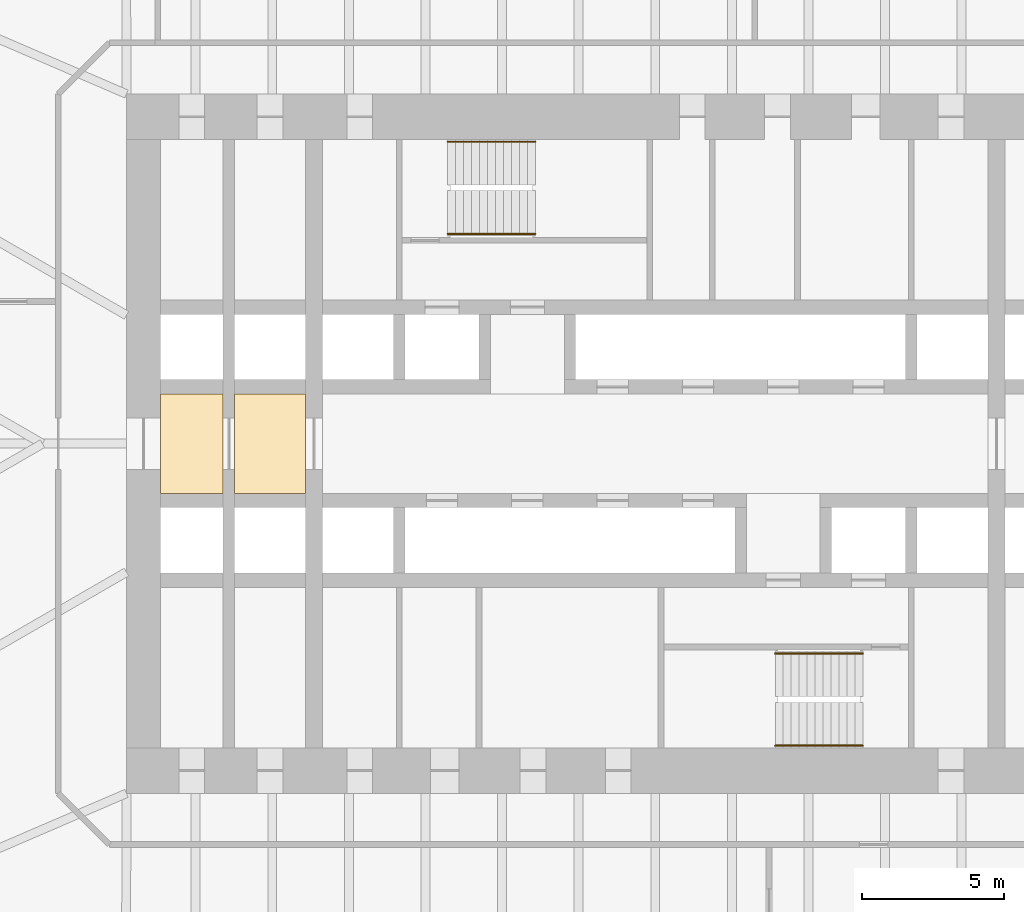
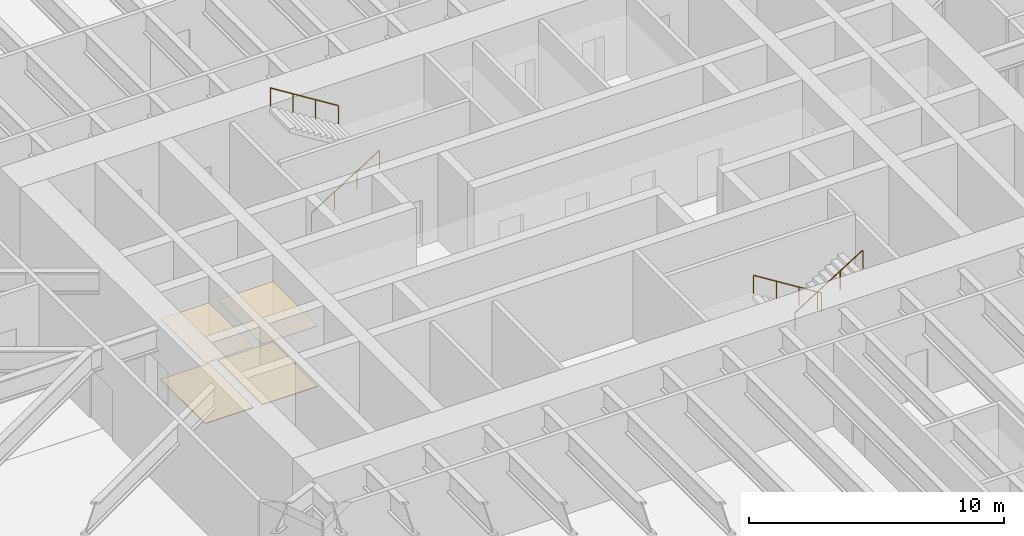
# One storey, part 21 of 23: 4 coverings, 4 railings.
"""IFC4 building model written with IfcOpenShell, lengths in metres."""

from ifc_helpers import new_model, si_unit, direction, frame, origin, origin_2d, place, context, subcontext, project, spatial, polyline, circle, outline, extrude, material, layer, layer_set, type_object, element, save


model = new_model("IFC4")

# Units and contexts
model_context = context("Model", 3, precision=1e-05, world=origin(), true_north=direction((0.0, 1.0)))
body_context = subcontext(model_context, "Body", "Model", "MODEL_VIEW")
ifc_project = project(units=[si_unit("LENGTHUNIT", "METRE"), si_unit("AREAUNIT", "SQUARE_METRE"), si_unit("VOLUMEUNIT", "CUBIC_METRE"), si_unit("PLANEANGLEUNIT", "RADIAN"), si_unit("MASSUNIT", "GRAM", prefix="KILO")], contexts=[model_context])

# Site, building, storey
site_placement = place(None, origin())
site = spatial("IfcSite", under=ifc_project, at=site_placement, CompositionType="ELEMENT")
building_placement = place(site_placement, origin())
building = spatial("IfcBuilding", under=site, at=building_placement, Name="Tarfa Lantern Tower", CompositionType="ELEMENT")
storey_placement = place(building_placement, frame((0.0, 0.0, 40.300048828125)))
storey = spatial("IfcBuildingStorey", under=building, at=storey_placement, Name="L08", CompositionType="ELEMENT", Elevation=40.300048828125)

# Coverings
ifc_material_1 = material(Name="Powder-coated aluminium panel", Category="aluminium")
ifc_layer_1 = layer(ifc_material_1, 0.030029296875)
ifc_layer_set_1 = layer_set([ifc_layer_1], Name="CL3 METAL PANEL CEILING 30")
covering_type_1 = type_object("IfcCoveringType", Name="CL3 METAL PANEL CEILING 30", PredefinedType="CEILING", material=ifc_layer_set_1)
covering_1_placement = place(storey_placement, frame((0.0, 0.0, 2.89990234375)))
element("IfcCovering", 1, at=covering_1_placement, inside=storey, type_object=covering_type_1, Name="Ceiling L08-01", PredefinedType="CEILING", context=body_context, shape_type="SweptSolid", body=[
    extrude(outline(polyline([(-17.39990234375, -1.75), (-15.199951171875, -1.75), (-15.199951171875, 1.75), (-17.39990234375, 1.75), (-17.39990234375, -1.75)])), origin(), (0.0, 0.0, 1.0), 0.030029296875),
])
covering_2_placement = place(storey_placement, frame((0.0, 0.0, 2.89990234375)))
element("IfcCovering", 2, at=covering_2_placement, inside=storey, type_object=covering_type_1, Name="Ceiling L08-02", PredefinedType="CEILING", context=body_context, shape_type="SweptSolid", body=[
    extrude(outline(polyline([(-14.800048828125, -1.75), (-12.300048828125, -1.75), (-12.300048828125, 1.75), (-14.800048828125, 1.75), (-14.800048828125, -1.75)])), origin(), (0.0, 0.0, 1.0), 0.030029296875),
])
ifc_material_2 = material(Name="Honed limestone flooring", Category="masonry")
ifc_layer_2 = layer(ifc_material_2, 0.030029296875)
ifc_layer_set_2 = layer_set([ifc_layer_2], Name="FL2 STONE FLOORING 30")
covering_type_2 = type_object("IfcCoveringType", Name="FL2 STONE FLOORING 30", PredefinedType="FLOORING", material=ifc_layer_set_2)
covering_3_placement = place(storey_placement, origin())
element("IfcCovering", 3, at=covering_3_placement, inside=storey, type_object=covering_type_2, Name="Floor finish L08-01", PredefinedType="FLOORING", context=body_context, shape_type="SweptSolid", body=[
    extrude(outline(polyline([(-17.39990234375, -1.75), (-15.199951171875, -1.75), (-15.199951171875, 1.75), (-17.39990234375, 1.75), (-17.39990234375, -1.75)])), origin(), (0.0, 0.0, 1.0), 0.030029296875),
])
covering_4_placement = place(storey_placement, origin())
element("IfcCovering", 4, at=covering_4_placement, inside=storey, type_object=covering_type_2, Name="Floor finish L08-02", PredefinedType="FLOORING", context=body_context, shape_type="SweptSolid", body=[
    extrude(outline(polyline([(-14.800048828125, -1.75), (-12.300048828125, -1.75), (-12.300048828125, 1.75), (-14.800048828125, 1.75), (-14.800048828125, -1.75)])), origin(), (0.0, 0.0, 1.0), 0.030029296875),
])

# Railings
ifc_material_3 = material(Name="Stainless steel", Category="steel")
railing_type = type_object("IfcRailingType", Name="HR1 HANDRAIL 900", PredefinedType="HANDRAIL", material=ifc_material_3)
railing_1_placement = place(storey_placement, frame((-7.300048828125, 7.3798828125, 0.175048828125)))
element("IfcRailing", 5, at=railing_1_placement, inside=storey, type_object=railing_type, Name="Handrail 1", PredefinedType="HANDRAIL", context=body_context, shape_type="SweptSolid", body=[
    extrude(circle(Radius=0.02392578125, at=origin_2d()), frame((0.0, 0.0, 0.8759765625), z_axis=(0.848028513186, 0.0, 0.529950602248), x_axis=(0.0, 1.0, 0.0)), (0.0, 0.0, 1.0), 3.632080078125),
    extrude(circle(Radius=0.02099609375, at=origin_2d()), frame((0.0, 0.0, 0.0), z_axis=(0.0, 0.0, 1.0), x_axis=(0.0, 1.0, 0.0)), (0.0, 0.0, 1.0), 0.851806640625),
    extrude(circle(Radius=0.02099609375, at=origin_2d()), frame((1.026611328125, 0.0, 0.6416015625), z_axis=(0.0, 0.0, 1.0), x_axis=(0.0, 1.0, 0.0)), (0.0, 0.0, 1.0), 0.851806640625),
    extrude(circle(Radius=0.02099609375, at=origin_2d()), frame((2.053466796875, 0.0, 1.283203125), z_axis=(0.0, 0.0, 1.0), x_axis=(0.0, 1.0, 0.0)), (0.0, 0.0, 1.0), 0.851806640625),
    extrude(circle(Radius=0.02099609375, at=origin_2d()), frame((3.080078125, 0.0, 1.9248046875), z_axis=(0.0, 0.0, 1.0), x_axis=(0.0, 1.0, 0.0)), (0.0, 0.0, 1.0), 0.851806640625),
])
railing_2_placement = place(storey_placement, frame((-4.219970703125, 10.6201171875, 2.27490234375)))
element("IfcRailing", 6, at=railing_2_placement, inside=storey, type_object=railing_type, Name="Handrail 2", PredefinedType="HANDRAIL", context=body_context, shape_type="SweptSolid", body=[
    extrude(circle(Radius=0.02392578125, at=origin_2d()), frame((0.0, 0.0, 0.8759765625), z_axis=(-0.847998304005, 0.0, 0.529998940003), x_axis=(0.0, -1.0, 0.0)), (0.0, 0.0, 1.0), 3.632080078125),
    extrude(circle(Radius=0.02099609375, at=origin_2d()), frame((0.0, 0.0, 0.0), z_axis=(0.0, 0.0, 1.0), x_axis=(0.0, -1.0, 0.0)), (0.0, 0.0, 1.0), 0.851806640625),
    extrude(circle(Radius=0.02099609375, at=origin_2d()), frame((-1.026611328125, 0.0, 0.6416015625), z_axis=(0.0, 0.0, 1.0), x_axis=(0.0, -1.0, 0.0)), (0.0, 0.0, 1.0), 0.851806640625),
    extrude(circle(Radius=0.02099609375, at=origin_2d()), frame((-2.053466796875, 0.0, 1.283447265625), z_axis=(0.0, 0.0, 1.0), x_axis=(0.0, -1.0, 0.0)), (0.0, 0.0, 1.0), 0.851806640625),
    extrude(circle(Radius=0.02099609375, at=origin_2d()), frame((-3.080078125, 0.0, 1.925048828125), z_axis=(0.0, 0.0, 1.0), x_axis=(0.0, -1.0, 0.0)), (0.0, 0.0, 1.0), 0.851806640625),
])
railing_3_placement = place(storey_placement, frame((7.300048828125, -7.3798828125, 0.175048828125)))
element("IfcRailing", 7, at=railing_3_placement, inside=storey, type_object=railing_type, Name="Handrail 1", PredefinedType="HANDRAIL", context=body_context, shape_type="SweptSolid", body=[
    extrude(circle(Radius=0.02392578125, at=origin_2d()), frame((0.0, 0.0, 0.8759765625), z_axis=(-0.848028513186, 0.0, 0.529950602248), x_axis=(0.0, -1.0, 0.0)), (0.0, 0.0, 1.0), 3.632080078125),
    extrude(circle(Radius=0.02099609375, at=origin_2d()), frame((0.0, 0.0, 0.0), z_axis=(0.0, 0.0, 1.0), x_axis=(0.0, -1.0, 0.0)), (0.0, 0.0, 1.0), 0.851806640625),
    extrude(circle(Radius=0.02099609375, at=origin_2d()), frame((-1.026611328125, 0.0, 0.6416015625), z_axis=(0.0, 0.0, 1.0), x_axis=(0.0, -1.0, 0.0)), (0.0, 0.0, 1.0), 0.851806640625),
    extrude(circle(Radius=0.02099609375, at=origin_2d()), frame((-2.053466796875, 0.0, 1.283203125), z_axis=(0.0, 0.0, 1.0), x_axis=(0.0, -1.0, 0.0)), (0.0, 0.0, 1.0), 0.851806640625),
    extrude(circle(Radius=0.02099609375, at=origin_2d()), frame((-3.080078125, 0.0, 1.9248046875), z_axis=(0.0, 0.0, 1.0), x_axis=(0.0, -1.0, 0.0)), (0.0, 0.0, 1.0), 0.851806640625),
])
railing_4_placement = place(storey_placement, frame((4.219970703125, -10.6201171875, 2.27490234375)))
element("IfcRailing", 8, at=railing_4_placement, inside=storey, type_object=railing_type, Name="Handrail 2", PredefinedType="HANDRAIL", context=body_context, shape_type="SweptSolid", body=[
    extrude(circle(Radius=0.02392578125, at=origin_2d()), frame((0.0, 0.0, 0.8759765625), z_axis=(0.847998304005, 0.0, 0.529998940003), x_axis=(0.0, 1.0, 0.0)), (0.0, 0.0, 1.0), 3.632080078125),
    extrude(circle(Radius=0.02099609375, at=origin_2d()), frame((0.0, 0.0, 0.0), z_axis=(0.0, 0.0, 1.0), x_axis=(0.0, 1.0, 0.0)), (0.0, 0.0, 1.0), 0.851806640625),
    extrude(circle(Radius=0.02099609375, at=origin_2d()), frame((1.026611328125, 0.0, 0.6416015625), z_axis=(0.0, 0.0, 1.0), x_axis=(0.0, 1.0, 0.0)), (0.0, 0.0, 1.0), 0.851806640625),
    extrude(circle(Radius=0.02099609375, at=origin_2d()), frame((2.053466796875, 0.0, 1.283447265625), z_axis=(0.0, 0.0, 1.0), x_axis=(0.0, 1.0, 0.0)), (0.0, 0.0, 1.0), 0.851806640625),
    extrude(circle(Radius=0.02099609375, at=origin_2d()), frame((3.080078125, 0.0, 1.925048828125), z_axis=(0.0, 0.0, 1.0), x_axis=(0.0, 1.0, 0.0)), (0.0, 0.0, 1.0), 0.851806640625),
])

save(model, "model.ifc")
